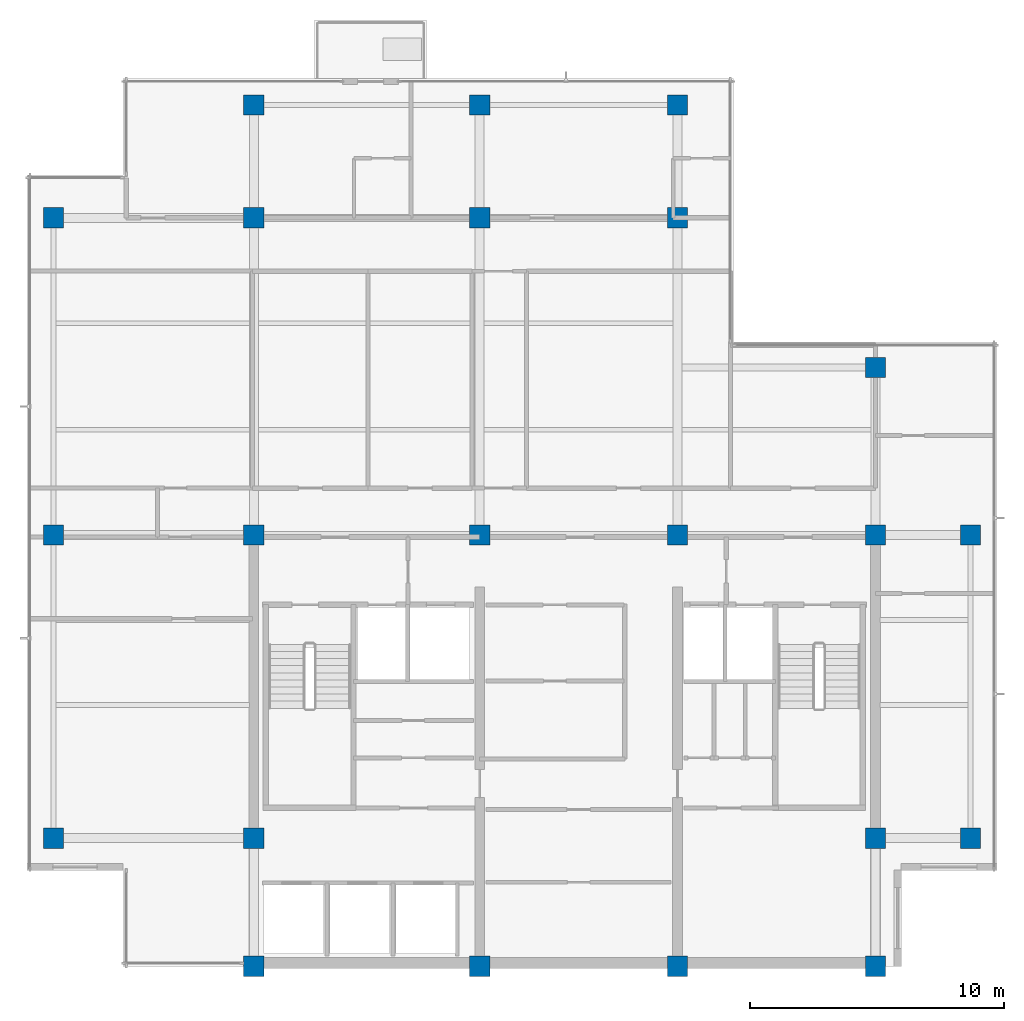
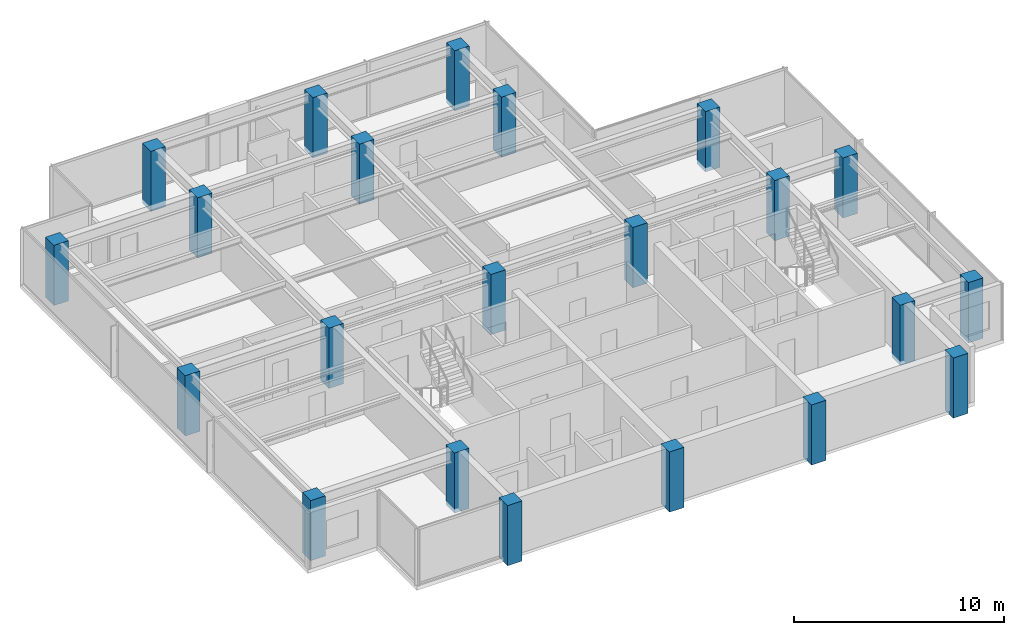
# One storey, part 1 of 11: 22 columns.
"""IFC4 building model written with IfcOpenShell, lengths in metres."""

from ifc_helpers import new_model, si_unit, direction, frame, origin, origin_2d, place, context, subcontext, project, spatial, rectangle, extrude, material, material_profile, profile_set, type_object, element, save


model = new_model("IFC4")

# Units and contexts
model_context = context("Model", 3, precision=1e-05, world=origin(), true_north=direction((0.0, 1.0)))
body_context = subcontext(model_context, "Body", "Model", "MODEL_VIEW")
ifc_project = project(units=[si_unit("LENGTHUNIT", "METRE"), si_unit("AREAUNIT", "SQUARE_METRE"), si_unit("VOLUMEUNIT", "CUBIC_METRE"), si_unit("PLANEANGLEUNIT", "RADIAN"), si_unit("MASSUNIT", "GRAM", prefix="KILO")], contexts=[model_context])

# Site, building, storey
site_placement = place(None, origin())
site = spatial("IfcSite", under=ifc_project, at=site_placement, CompositionType="ELEMENT")
building_placement = place(site_placement, origin())
building = spatial("IfcBuilding", under=site, at=building_placement, Name="Qalmaran Belvedere Hotel", CompositionType="ELEMENT")
storey_placement = place(building_placement, frame((0.0, 0.0, 273.89990234375)))
storey = spatial("IfcBuildingStorey", under=building, at=storey_placement, Name="L71", CompositionType="ELEMENT", Elevation=273.89990234375)

# Columns
ifc_material = material(Name="Concrete C50/60", Category="concrete")
ifc_material_profile = material_profile(ifc_material, rectangle(XDim=0.800048828125, YDim=0.800048828125, at=origin_2d()), Name="CC800X800")
ifc_profile_set = profile_set([ifc_material_profile], Name="Concrete C50/60")
column_type = type_object("IfcColumnType", Name="COL-Z5-CC800", PredefinedType="COLUMN", material=ifc_profile_set)
for number, where, z_axis, x_axis, name in (
    (1, (20.300048828125, 3.5, -0.239990234375), (0.0, 0.0, 1.0), (1.0, 0.0, 0.0), "L71 Column C4B"),
    (2, (29.199951171875, 3.5, -0.239990234375), (0.0, 0.0, 1.0), (1.0, 0.0, 0.0), "L71 Column C5B"),
    (3, (37.0, 3.5, -0.239990234375), (0.0, 0.0, 1.0), (1.0, 0.0, 0.0), "L71 Column C6B"),
    (4, (44.800048828125, 3.5, -0.239990234375), (0.0, 0.0, 1.0), (1.0, 0.0, 0.0), "L71 Column C7B"),
    (5, (20.300048828125, 8.550048828125, -0.239990234375), (0.0, 0.0, 1.0), (1.0, 0.0, 0.0), "L71 Column C4C"),
    (6, (44.800048828125, 8.550048828125, -0.239990234375), (0.0, 0.0, 1.0), (1.0, 0.0, 0.0), "L71 Column C7C"),
    (7, (20.300048828125, 20.5, -0.239990234375), (0.0, 0.0, 1.0), (1.0, 0.0, 0.0), "L71 Column C4D"),
    (8, (29.199951171875, 20.5, -0.239990234375), (0.0, 0.0, 1.0), (1.0, 0.0, 0.0), "L71 Column C5D"),
    (9, (37.0, 20.5, -0.239990234375), (0.0, 0.0, 1.0), (1.0, 0.0, 0.0), "L71 Column C6D"),
    (10, (44.800048828125, 20.5, -0.239990234375), (0.0, 0.0, 1.0), (1.0, 0.0, 0.0), "L71 Column C7D"),
    (11, (20.300048828125, 33.0, -0.239990234375), (0.0, 0.0, 1.0), (1.0, 0.0, 0.0), "L71 Column C4F"),
    (12, (29.199951171875, 33.0, -0.239990234375), (0.0, 0.0, 1.0), (1.0, 0.0, 0.0), "L71 Column C5F"),
    (13, (37.0, 33.0, -0.239990234375), (0.0, 0.0, 1.0), (1.0, 0.0, 0.0), "L71 Column C6F"),
    (14, (44.800048828125, 27.10009765625, -0.239990234375), (0.0, 0.0, 1.0), (1.0, 0.0, 0.0), "L71 Column C7E"),
    (15, (12.39990234375, 8.550048828125, -0.239990234375), (0.0, 0.0, 1.0), (1.0, 0.0, 0.0), "L71 Column CW1"),
    (16, (12.39990234375, 20.5, -0.239990234375), (0.0, 0.0, 1.0), (1.0, 0.0, 0.0), "L71 Column CW3"),
    (17, (12.39990234375, 33.0, -0.239990234375), (0.0, 0.0, 1.0), (1.0, 0.0, 0.0), "L71 Column CW4"),
    (18, (48.550048828125, 8.550048828125, -0.239990234375), (0.0, 0.0, 1.0), (1.0, 0.0, 0.0), "L71 Column CE1"),
    (19, (48.550048828125, 20.5, -0.239990234375), (0.0, 0.0, 1.0), (1.0, 0.0, 0.0), "L71 Column CE3"),
    (20, (20.300048828125, 37.449951171875, -0.239990234375), (0.0, 0.0, 1.0), (1.0, 0.0, 0.0), "L71 Column CN1"),
    (21, (29.199951171875, 37.449951171875, -0.239990234375), (0.0, 0.0, 1.0), (1.0, 0.0, 0.0), "L71 Column CN2"),
    (22, (37.0, 37.449951171875, -0.239990234375), (0.0, 0.0, 1.0), (1.0, 0.0, 0.0), "L71 Column CN3"),
):
    element("IfcColumn", number, at=place(storey_placement, frame(where, z_axis=z_axis, x_axis=x_axis)), inside=storey, type_object=column_type, Name=name, PredefinedType="COLUMN", context=body_context, shape_type="SweptSolid", body=[
        extrude(rectangle(XDim=0.800048828125, YDim=0.800048828125, at=origin_2d()), origin(), (0.0, 0.0, 1.0), 3.5),
    ])

save(model, "model.ifc")
